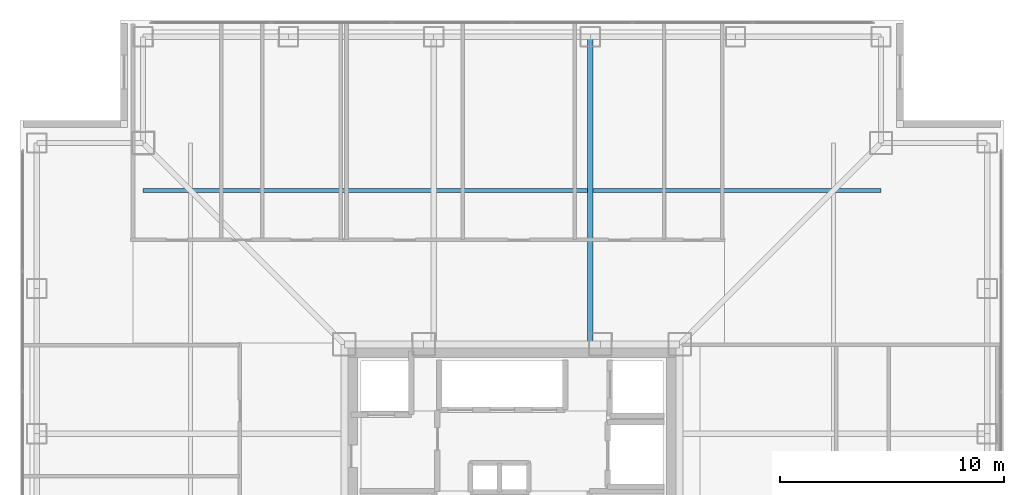
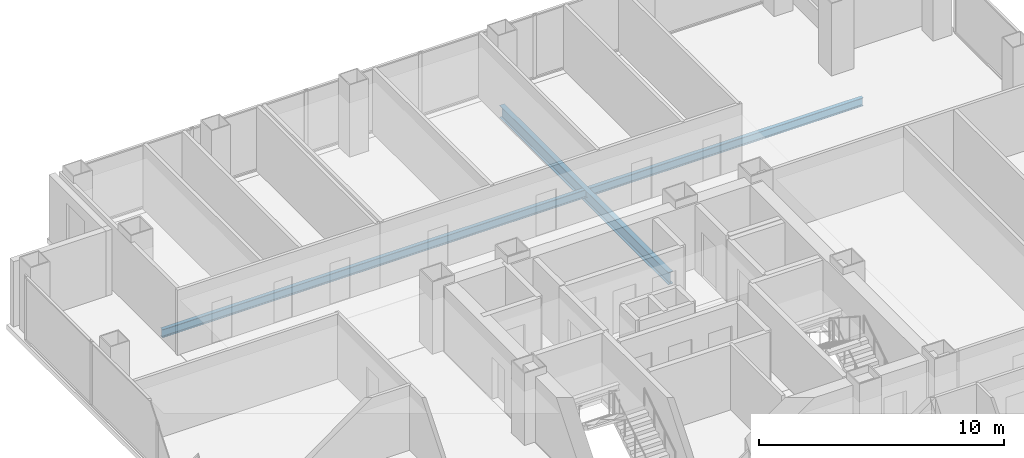
# One storey, part 10 of 18: 2 beams.
"""IFC4 building model written with IfcOpenShell, lengths in metres."""

from ifc_helpers import new_model, si_unit, direction, frame, origin, origin_2d, place, context, subcontext, project, spatial, i_section, extrude, material, material_profile, profile_set, type_object, element, save


model = new_model("IFC4")

# Units and contexts
model_context = context("Model", 3, precision=1e-05, world=origin(), true_north=direction((0.0, 1.0)))
body_context = subcontext(model_context, "Body", "Model", "MODEL_VIEW")
ifc_project = project(units=[si_unit("LENGTHUNIT", "METRE"), si_unit("AREAUNIT", "SQUARE_METRE"), si_unit("VOLUMEUNIT", "CUBIC_METRE"), si_unit("PLANEANGLEUNIT", "RADIAN"), si_unit("MASSUNIT", "GRAM", prefix="KILO")], contexts=[model_context])

# Site, building, storey
site_placement = place(None, origin())
site = spatial("IfcSite", under=ifc_project, at=site_placement, CompositionType="ELEMENT")
building_placement = place(site_placement, origin())
building = spatial("IfcBuilding", under=site, at=building_placement, Name="Trevonay Congress Spire", CompositionType="ELEMENT")
storey_placement = place(building_placement, frame((0.0, 0.0, 151.60009765625)))
storey = spatial("IfcBuildingStorey", under=building, at=storey_placement, Name="L39", CompositionType="ELEMENT", Elevation=151.60009765625)

# Beams
ifc_material = material(Name="Steel ASTM A572 Grade 50", Category="steel")
ifc_material_profile_1 = material_profile(ifc_material, i_section(OverallWidth=0.22998046875, OverallDepth=0.616943359375, WebThickness=0.01318359375, FlangeThickness=0.022216796875, FilletRadius=0.01611328125, at=origin_2d()), Name="W610x140")
ifc_profile_set_1 = profile_set([ifc_material_profile_1], Name="Steel ASTM A572 Grade 50")
beam_type_1 = type_object("IfcBeamType", Name="BM-GIRD-W610X140", PredefinedType="BEAM", material=ifc_profile_set_1)
beam_1_placement = place(storey_placement, frame((3.5, 7.5, -0.548583984375), z_axis=(0.0, 1.0, 0.0), x_axis=(-1.0, 0.0, 0.0)))
element("IfcBeam", 1, at=beam_1_placement, inside=storey, type_object=beam_type_1, Name="L39 structural beam BM-L39-GN-P", PredefinedType="BEAM", context=body_context, shape_type="SweptSolid", body=[
    extrude(i_section(OverallWidth=0.22998046875, OverallDepth=0.616943359375, WebThickness=0.01318359375, FlangeThickness=0.022216796875, FilletRadius=0.01611328125, at=origin_2d()), origin(), (0.0, 0.0, 1.0), 13.75),
])
ifc_material_profile_2 = material_profile(ifc_material, i_section(OverallWidth=0.177978515625, OverallDepth=0.406982421875, WebThickness=0.0078125, FlangeThickness=0.0126953125, FilletRadius=0.012939453125, at=origin_2d()), Name="W410x60")
ifc_profile_set_2 = profile_set([ifc_material_profile_2], Name="Steel ASTM A572 Grade 50")
beam_type_2 = type_object("IfcBeamType", Name="JS-COMP-W410X60", PredefinedType="JOIST", material=ifc_profile_set_2)
beam_2_placement = place(storey_placement, frame((-16.5, 14.375, -0.443603515625), z_axis=(1.0, 0.0, 0.0), x_axis=(0.0, 1.0, 0.0)))
element("IfcBeam", 2, at=beam_2_placement, inside=storey, type_object=beam_type_2, Name="L39 structural beam JS-L39-RING-N", PredefinedType="JOIST", context=body_context, shape_type="SweptSolid", body=[
    extrude(i_section(OverallWidth=0.177978515625, OverallDepth=0.406982421875, WebThickness=0.0078125, FlangeThickness=0.0126953125, FilletRadius=0.012939453125, at=origin_2d()), origin(), (0.0, 0.0, 1.0), 33.0),
])

save(model, "model.ifc")
